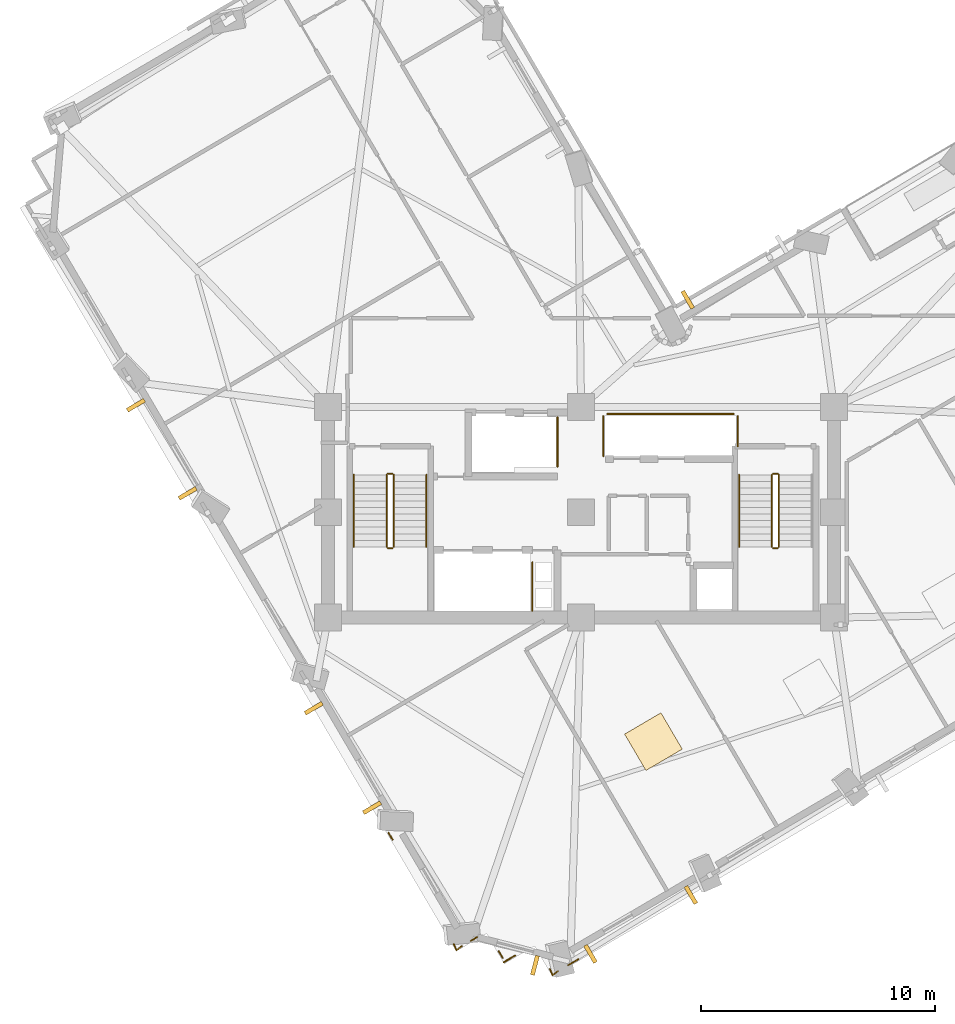
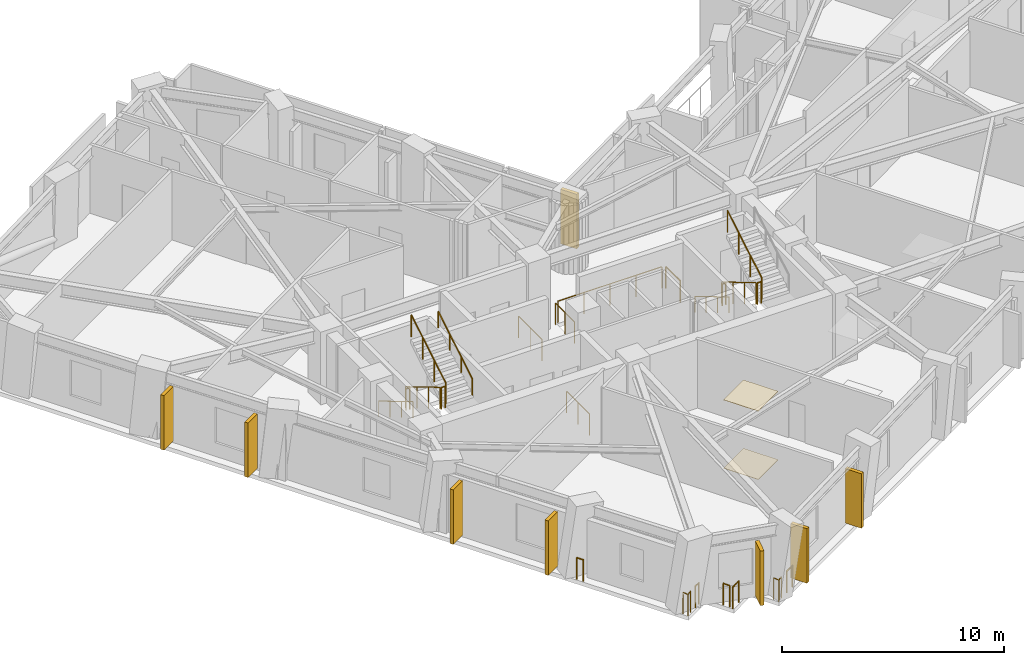
# One storey, part 9 of 12: 23 railings, 8 shading devices, 2 coverings.
"""IFC4 building model written with IfcOpenShell, lengths in metres."""

from ifc_helpers import new_model, si_unit, direction, frame, origin, origin_2d, place, context, subcontext, project, spatial, rectangle, circle, extrude, material, layer, layer_set, type_object, element, save


model = new_model("IFC4")

# Units and contexts
model_context = context("Model", 3, precision=1e-05, world=origin(), true_north=direction((0.0, 1.0)))
body_context = subcontext(model_context, "Body", "Model", "MODEL_VIEW")
ifc_project = project(units=[si_unit("LENGTHUNIT", "METRE"), si_unit("AREAUNIT", "SQUARE_METRE"), si_unit("VOLUMEUNIT", "CUBIC_METRE"), si_unit("PLANEANGLEUNIT", "RADIAN"), si_unit("MASSUNIT", "GRAM", prefix="KILO")], contexts=[model_context])

# Site, building, storey
site_placement = place(None, origin())
site = spatial("IfcSite", under=ifc_project, at=site_placement, CompositionType="ELEMENT")
building_placement = place(site_placement, origin())
building = spatial("IfcBuilding", under=site, at=building_placement, Name="Gaonmaruhae Medical Tower", CompositionType="ELEMENT")
storey_placement = place(building_placement, frame((0.0, 0.0, 153.800048828125)))
storey = spatial("IfcBuildingStorey", under=building, at=storey_placement, Name="L36", CompositionType="ELEMENT", Elevation=153.800048828125)

# Coverings
ifc_material_1 = material(Name="Acoustic mineral ceiling tile", Category="finish")
ifc_layer_1 = layer(ifc_material_1, 0.02490234375)
ifc_layer_set_1 = layer_set([ifc_layer_1], Name="Acoustic mineral ceiling tile")
covering_type_1 = type_object("IfcCoveringType", Name="CLG-01 Antimicrobial Acoustic Mineral Ceiling", PredefinedType="CEILING", material=ifc_layer_set_1)
covering_1_placement = place(storey_placement, frame((27.8916015625, 2.506103515625, 3.7548828125), z_axis=(0.0, 0.0, 1.0), x_axis=(0.862513669207, 0.506033764121, 0.0)))
element("IfcCovering", 1, at=covering_1_placement, inside=storey, type_object=covering_type_1, Name="L36 Clinical Room Acoustic Ceiling 2", PredefinedType="CEILING", context=body_context, shape_type="SweptSolid", body=[
    extrude(rectangle(XDim=1.800048828125, YDim=1.800048828125, at=origin_2d()), origin(), (0.0, 0.0, 1.0), 0.02490234375),
])
ifc_material_2 = material(Name="Seamless clinical vinyl flooring", Category="finish")
ifc_layer_2 = layer(ifc_material_2, 0.014892578125)
ifc_layer_set_2 = layer_set([ifc_layer_2], Name="Seamless clinical vinyl flooring")
covering_type_2 = type_object("IfcCoveringType", Name="FLR-01 Seamless Clinical Antistatic Vinyl Flooring", PredefinedType="FLOORING", material=ifc_layer_set_2)
covering_2_placement = place(storey_placement, frame((27.8916015625, 2.506103515625, 0.0), z_axis=(0.0, 0.0, 1.0), x_axis=(0.862513669207, 0.506033764121, 0.0)))
element("IfcCovering", 2, at=covering_2_placement, inside=storey, type_object=covering_type_2, Name="L36 Clinical Room Vinyl Flooring 2", PredefinedType="FLOORING", context=body_context, shape_type="SweptSolid", body=[
    extrude(rectangle(XDim=1.800048828125, YDim=1.800048828125, at=origin_2d()), origin(), (0.0, 0.0, 1.0), 0.014892578125),
])

# Railings
ifc_material_3 = material(Name="Stainless steel 316L and laminated safety glass", Category="steel")
ifc_layer_3 = layer(ifc_material_3, 0.080078125)
ifc_layer_set_3 = layer_set([ifc_layer_3], Name="Stainless steel 316L and laminated safety glass")
railing_type_1 = type_object("IfcRailingType", Name="GD-120 Outdoor Terrace Safety Glass & Steel Balustrade", PredefinedType="BALUSTRADE", material=ifc_layer_set_3)
railing_1_placement = place(storey_placement, frame((24.691162109375, -6.780029296875, 0.0)))
element("IfcRailing", 3, at=railing_1_placement, inside=storey, type_object=railing_type_1, Name="L36 Perimeter Slab Edge Safety Balustrade 04", PredefinedType="BALUSTRADE", context=body_context, shape_type="SweptSolid", body=[
    extrude(circle(Radius=0.02392578125, at=origin_2d()), frame((0.0, 0.0, 1.17578125), z_axis=(-0.862478327947, -0.506093997021, 0.0), x_axis=(0.506093997021, -0.862478327947, 0.0)), (0.0, 0.0, 1.0), 0.5185546875),
    extrude(circle(Radius=0.02099609375, at=origin_2d()), origin(), (0.0, 0.0, 1.0), 1.15185546875),
    extrude(circle(Radius=0.02099609375, at=origin_2d()), frame((-0.447265625, -0.262451171875, 0.0)), (0.0, 0.0, 1.0), 1.15185546875),
])
railing_2_placement = place(storey_placement, frame((21.98681640625, -6.62744140625, 0.0)))
element("IfcRailing", 4, at=railing_2_placement, inside=storey, type_object=railing_type_1, Name="L36 Perimeter Slab Edge Safety Balustrade 05", PredefinedType="BALUSTRADE", context=body_context, shape_type="SweptSolid", body=[
    extrude(circle(Radius=0.02392578125, at=origin_2d()), frame((0.0, 0.0, 1.17578125), z_axis=(-0.862527442055, -0.506010288138, 0.0), x_axis=(0.506010288138, -0.862527442055, 0.0)), (0.0, 0.0, 1.0), 0.56005859375),
    extrude(circle(Radius=0.02099609375, at=origin_2d()), origin(), (0.0, 0.0, 1.0), 1.15185546875),
    extrude(circle(Radius=0.02099609375, at=origin_2d()), frame((-0.483154296875, -0.283447265625, 0.0)), (0.0, 0.0, 1.0), 1.15185546875),
])
railing_3_placement = place(storey_placement, frame((21.4541015625, -6.7275390625, 0.0)))
element("IfcRailing", 5, at=railing_3_placement, inside=storey, type_object=railing_type_1, Name="L36 Perimeter Slab Edge Safety Balustrade 06", PredefinedType="BALUSTRADE", context=body_context, shape_type="SweptSolid", body=[
    extrude(circle(Radius=0.02392578125, at=origin_2d()), frame((0.0, 0.0, 1.17578125), z_axis=(-0.506007197407, 0.862529255256, 0.0), x_axis=(-0.862529255256, -0.506007197407, 0.0)), (0.0, 0.0, 1.0), 0.32666015625),
    extrude(circle(Radius=0.02099609375, at=origin_2d()), origin(), (0.0, 0.0, 1.0), 1.15185546875),
    extrude(circle(Radius=0.02099609375, at=origin_2d()), frame((-0.165283203125, 0.28173828125, 0.0)), (0.0, 0.0, 1.0), 1.15185546875),
])
railing_4_placement = place(storey_placement, frame((20.365234375, -5.83984375, 0.0)))
element("IfcRailing", 6, at=railing_4_placement, inside=storey, type_object=railing_type_1, Name="L36 Perimeter Slab Edge Safety Balustrade 07", PredefinedType="BALUSTRADE", context=body_context, shape_type="SweptSolid", body=[
    extrude(circle(Radius=0.02392578125, at=origin_2d()), frame((0.0, 0.0, 1.17578125), z_axis=(-0.862529255256, -0.506007197407, 0.0), x_axis=(0.506007197407, -0.862529255256, 0.0)), (0.0, 0.0, 1.0), 0.32666015625),
    extrude(circle(Radius=0.02099609375, at=origin_2d()), origin(), (0.0, 0.0, 1.0), 1.15185546875),
    extrude(circle(Radius=0.02099609375, at=origin_2d()), frame((-0.28173828125, -0.165283203125, 0.0)), (0.0, 0.0, 1.0), 1.15185546875),
])
railing_5_placement = place(storey_placement, frame((16.75390625, -1.680419921875, 0.0)))
element("IfcRailing", 7, at=railing_5_placement, inside=storey, type_object=railing_type_1, Name="L36 Perimeter Slab Edge Safety Balustrade 08", PredefinedType="BALUSTRADE", context=body_context, shape_type="SweptSolid", body=[
    extrude(circle(Radius=0.02392578125, at=origin_2d()), frame((0.0, 0.0, 1.17578125), z_axis=(-0.506328480101, 0.862340692672, 0.0), x_axis=(-0.862340692672, -0.506328480101, 0.0)), (0.0, 0.0, 1.0), 0.33935546875),
    extrude(circle(Radius=0.02099609375, at=origin_2d()), origin(), (0.0, 0.0, 1.0), 1.15185546875),
    extrude(circle(Radius=0.02099609375, at=origin_2d()), frame((-0.171875, 0.292724609375, 0.0)), (0.0, 0.0, 1.0), 1.15185546875),
])
railing_6_placement = place(storey_placement, frame((23.815185546875, -7.2939453125, 0.0)))
element("IfcRailing", 8, at=railing_6_placement, inside=storey, type_object=railing_type_1, Name="L36 Perimeter Corner Safety Balustrade 10", PredefinedType="BALUSTRADE", context=body_context, shape_type="SweptSolid", body=[
    extrude(circle(Radius=0.02392578125, at=origin_2d()), frame((0.0, 0.0, 1.17578125), z_axis=(-0.794454396881, -0.607323810892, 0.0), x_axis=(0.607323810892, -0.794454396881, 0.0)), (0.0, 0.0, 1.0), 0.287109375),
    extrude(circle(Radius=0.02392578125, at=origin_2d()), frame((-0.22802734375, -0.17431640625, 1.17578125), z_axis=(-0.397201622522, 0.917731371952, 0.0), x_axis=(-0.917731371952, -0.397201622522, 0.0)), (0.0, 0.0, 1.0), 0.287109375),
    extrude(circle(Radius=0.02099609375, at=origin_2d()), origin(), (0.0, 0.0, 1.0), 1.15185546875),
    extrude(circle(Radius=0.02099609375, at=origin_2d()), frame((-0.22802734375, -0.17431640625, 0.0)), (0.0, 0.0, 1.0), 1.15185546875),
    extrude(circle(Radius=0.02099609375, at=origin_2d()), frame((-0.342041015625, 0.089111328125, 0.0)), (0.0, 0.0, 1.0), 1.15185546875),
])
railing_7_placement = place(storey_placement, frame((19.709716796875, -6.224365234375, 0.0)))
element("IfcRailing", 9, at=railing_7_placement, inside=storey, type_object=railing_type_1, Name="L36 Perimeter Corner Safety Balustrade 11", PredefinedType="BALUSTRADE", context=body_context, shape_type="SweptSolid", body=[
    extrude(circle(Radius=0.02392578125, at=origin_2d()), frame((0.0, 0.0, 1.17578125), z_axis=(-0.794454396881, -0.607323810892, 0.0), x_axis=(0.607323810892, -0.794454396881, 0.0)), (0.0, 0.0, 1.0), 0.287109375),
    extrude(circle(Radius=0.02392578125, at=origin_2d()), frame((-0.22802734375, -0.17431640625, 1.17578125), z_axis=(-0.397917609495, 0.917421155225, 0.0), x_axis=(-0.917421155225, -0.397917609495, 0.0)), (0.0, 0.0, 1.0), 0.287109375),
    extrude(circle(Radius=0.02099609375, at=origin_2d()), origin(), (0.0, 0.0, 1.0), 1.15185546875),
    extrude(circle(Radius=0.02099609375, at=origin_2d()), frame((-0.22802734375, -0.17431640625, 0.0)), (0.0, 0.0, 1.0), 1.15185546875),
    extrude(circle(Radius=0.02099609375, at=origin_2d()), frame((-0.34228515625, 0.089111328125, 0.0)), (0.0, 0.0, 1.0), 1.15185546875),
])
ifc_material_4 = material(Name="Stainless steel 304 handrail", Category="steel")
railing_type_2 = type_object("IfcRailingType", Name="HR-092 Continuous Stainless Steel Stair Handrail", PredefinedType="HANDRAIL", material=ifc_material_4)
railing_8_placement = place(storey_placement, frame((15.10009765625, 13.89990234375, 0.16650390625)))
element("IfcRailing", 10, at=railing_8_placement, inside=storey, type_object=railing_type_2, Name="L36 ST-01 stair handrail 1", PredefinedType="HANDRAIL", context=body_context, shape_type="SweptSolid", body=[
    extrude(circle(Radius=0.02392578125, at=origin_2d()), frame((0.0, 0.0, 0.8759765625), z_axis=(0.0, -0.859260807169, 0.511537745687), x_axis=(1.0, 0.0, 0.0)), (0.0, 0.0, 1.0), 3.584228515625),
    extrude(circle(Radius=0.02099609375, at=origin_2d()), origin(), (0.0, 0.0, 1.0), 0.851806640625),
    extrude(circle(Radius=0.02099609375, at=origin_2d()), frame((0.0, -1.026611328125, 0.611083984375)), (0.0, 0.0, 1.0), 0.851806640625),
    extrude(circle(Radius=0.02099609375, at=origin_2d()), frame((0.0, -2.05322265625, 1.222412109375)), (0.0, 0.0, 1.0), 0.851806640625),
    extrude(circle(Radius=0.02099609375, at=origin_2d()), frame((0.0, -3.079833984375, 1.83349609375)), (0.0, 0.0, 1.0), 0.851806640625),
])
railing_9_placement = place(storey_placement, frame((18.199951171875, 10.820068359375, 2.16650390625)))
element("IfcRailing", 11, at=railing_9_placement, inside=storey, type_object=railing_type_2, Name="L36 ST-01 stair handrail 2", PredefinedType="HANDRAIL", context=body_context, shape_type="SweptSolid", body=[
    extrude(circle(Radius=0.02392578125, at=origin_2d()), frame((0.0, 0.0, 0.8759765625), z_axis=(0.0, 0.859260807169, 0.511537745687), x_axis=(-1.0, 0.0, 0.0)), (0.0, 0.0, 1.0), 3.584228515625),
    extrude(circle(Radius=0.02099609375, at=origin_2d()), origin(), (0.0, 0.0, 1.0), 0.851806640625),
    extrude(circle(Radius=0.02099609375, at=origin_2d()), frame((0.0, 1.026611328125, 0.611083984375)), (0.0, 0.0, 1.0), 0.851806640625),
    extrude(circle(Radius=0.02099609375, at=origin_2d()), frame((0.0, 2.05322265625, 1.222412109375)), (0.0, 0.0, 1.0), 0.851806640625),
    extrude(circle(Radius=0.02099609375, at=origin_2d()), frame((0.0, 3.079833984375, 1.83349609375)), (0.0, 0.0, 1.0), 0.851806640625),
])
railing_10_placement = place(storey_placement, frame((31.550048828125, 13.89990234375, 0.16650390625)))
element("IfcRailing", 12, at=railing_10_placement, inside=storey, type_object=railing_type_2, Name="L36 ST-02 stair handrail 1", PredefinedType="HANDRAIL", context=body_context, shape_type="SweptSolid", body=[
    extrude(circle(Radius=0.02392578125, at=origin_2d()), frame((0.0, 0.0, 0.8759765625), z_axis=(0.0, -0.859260807169, 0.511537745687), x_axis=(1.0, 0.0, 0.0)), (0.0, 0.0, 1.0), 3.584228515625),
    extrude(circle(Radius=0.02099609375, at=origin_2d()), origin(), (0.0, 0.0, 1.0), 0.851806640625),
    extrude(circle(Radius=0.02099609375, at=origin_2d()), frame((0.0, -1.026611328125, 0.611083984375)), (0.0, 0.0, 1.0), 0.851806640625),
    extrude(circle(Radius=0.02099609375, at=origin_2d()), frame((0.0, -2.05322265625, 1.222412109375)), (0.0, 0.0, 1.0), 0.851806640625),
    extrude(circle(Radius=0.02099609375, at=origin_2d()), frame((0.0, -3.079833984375, 1.83349609375)), (0.0, 0.0, 1.0), 0.851806640625),
])

# Shading devices
ifc_material_5 = material(Name="Pigmented coral precast concrete C45/55", Category="concrete")
shading_device_type = type_object("IfcShadingDeviceType", Name="SD-FIN1 Tower Vertical Coral Precast Shading Fin", PredefinedType="USERDEFINED", material=ifc_material_5)
for number, where, z_axis, x_axis, name in (
    (13, (29.489013671875, -4.04052734375, 0.08251953125), (0.0, 0.0, 1.0), (-0.862513669207, -0.506033764121, 0.0), "L36 Vertical Coral Precast Shading Fin S01"),
    (14, (25.202392578125, -6.555419921875, 0.08251953125), (0.0, 0.0, 1.0), (-0.862513669207, -0.506033764121, 0.0), "L36 Vertical Coral Precast Shading Fin S01B"),
    (15, (29.35400390625, 21.37548828125, 0.08251953125), (0.0, 0.0, 1.0), (0.862513669207, 0.506033764121, 0.0), "L36 Vertical Coral Precast Shading Fin EN03"),
    (16, (8.00244140625, 13.107421875, 0.08251953125), (0.0, 0.0, 1.0), (-0.506033764121, 0.862513669207, 0.0), "L36 Vertical Coral Precast Shading Fin W02"),
    (17, (5.795166015625, 16.8701171875, 0.08251953125), (0.0, 0.0, 1.0), (-0.506033764121, 0.862513669207, 0.0), "L36 Vertical Coral Precast Shading Fin W02B"),
    (18, (15.87744140625, -0.315185546875, 0.08251953125), (0.0, 0.0, 1.0), (-0.506033764121, 0.862513669207, 0.0), "L36 Vertical Coral Precast Shading Fin W04"),
    (19, (13.385986328125, 3.931640625, 0.08251953125), (0.0, 0.0, 1.0), (-0.506033764121, 0.862513669207, 0.0), "L36 Vertical Coral Precast Shading Fin W04B"),
    (20, (22.83203125, -7.045654296875, 0.08251953125), (0.0, 0.0, 1.0), (-0.967709170482, 0.252069358243, 0.0), "L36 Vertical Coral Precast Shading Fin W06"),
):
    element("IfcShadingDevice", number, at=place(storey_placement, frame(where, z_axis=z_axis, x_axis=x_axis)), inside=storey, type_object=shading_device_type, Name=name, ObjectType="FIN", PredefinedType="USERDEFINED", context=body_context, shape_type="SweptSolid", body=[
        extrude(rectangle(XDim=0.179931640625, YDim=0.85009765625, at=origin_2d()), origin(), (0.0, 0.0, 1.0), 3.0),
    ])

# Railings
ifc_material_6 = material(Name="Stainless steel 304 balustrade", Category="steel")
railing_type_3 = type_object("IfcRailingType", Name="SG-112 Stair Well & Ramp Void Safety Balustrade", PredefinedType="BALUSTRADE", material=ifc_material_6)
railing_11_placement = place(storey_placement, frame((16.5, 13.89990234375, 0.16650390625)))
element("IfcRailing", 21, at=railing_11_placement, inside=storey, type_object=railing_type_3, Name="L36 ST-01 stair guard 1", PredefinedType="BALUSTRADE", context=body_context, shape_type="SweptSolid", body=[
    extrude(circle(Radius=0.02392578125, at=origin_2d()), frame((0.0, 0.0, 1.17578125), z_axis=(0.0, -0.859260807169, 0.511537745687), x_axis=(1.0, 0.0, 0.0)), (0.0, 0.0, 1.0), 3.584228515625),
    extrude(circle(Radius=0.02099609375, at=origin_2d()), origin(), (0.0, 0.0, 1.0), 1.15185546875),
    extrude(circle(Radius=0.02099609375, at=origin_2d()), frame((0.0, -1.026611328125, 0.611083984375)), (0.0, 0.0, 1.0), 1.15185546875),
    extrude(circle(Radius=0.02099609375, at=origin_2d()), frame((0.0, -2.05322265625, 1.222412109375)), (0.0, 0.0, 1.0), 1.15185546875),
    extrude(circle(Radius=0.02099609375, at=origin_2d()), frame((0.0, -3.079833984375, 1.83349609375)), (0.0, 0.0, 1.0), 1.15185546875),
])
railing_12_placement = place(storey_placement, frame((16.550048828125, 10.77001953125, 2.0)))
element("IfcRailing", 22, at=railing_12_placement, inside=storey, type_object=railing_type_3, Name="L36 ST-01 stair guard 2", PredefinedType="BALUSTRADE", context=body_context, shape_type="SweptSolid", body=[
    extrude(circle(Radius=0.02392578125, at=origin_2d()), frame((0.0, 0.0, 1.17578125), z_axis=(1.0, 0.0, 0.0), x_axis=(0.0, 1.0, 0.0)), (0.0, 0.0, 1.0), 0.199951171875),
    extrude(circle(Radius=0.02099609375, at=origin_2d()), origin(), (0.0, 0.0, 1.0), 1.15185546875),
    extrude(circle(Radius=0.02099609375, at=origin_2d()), frame((0.199951171875, 0.0, 0.0)), (0.0, 0.0, 1.0), 1.15185546875),
])
railing_13_placement = place(storey_placement, frame((16.800048828125, 10.820068359375, 2.16650390625)))
element("IfcRailing", 23, at=railing_13_placement, inside=storey, type_object=railing_type_3, Name="L36 ST-01 stair guard 3", PredefinedType="BALUSTRADE", context=body_context, shape_type="SweptSolid", body=[
    extrude(circle(Radius=0.02392578125, at=origin_2d()), frame((0.0, 0.0, 1.17578125), z_axis=(0.0, 0.859260807169, 0.511537745687), x_axis=(-1.0, 0.0, 0.0)), (0.0, 0.0, 1.0), 3.584228515625),
    extrude(circle(Radius=0.02099609375, at=origin_2d()), origin(), (0.0, 0.0, 1.0), 1.15185546875),
    extrude(circle(Radius=0.02099609375, at=origin_2d()), frame((0.0, 1.026611328125, 0.611083984375)), (0.0, 0.0, 1.0), 1.15185546875),
    extrude(circle(Radius=0.02099609375, at=origin_2d()), frame((0.0, 2.05322265625, 1.222412109375)), (0.0, 0.0, 1.0), 1.15185546875),
    extrude(circle(Radius=0.02099609375, at=origin_2d()), frame((0.0, 3.079833984375, 1.83349609375)), (0.0, 0.0, 1.0), 1.15185546875),
])
railing_14_placement = place(storey_placement, frame((16.550048828125, 13.949951171875, 0.0)))
element("IfcRailing", 24, at=railing_14_placement, inside=storey, type_object=railing_type_3, Name="L36 ST-01 stair guard 4", PredefinedType="BALUSTRADE", context=body_context, shape_type="SweptSolid", body=[
    extrude(circle(Radius=0.02392578125, at=origin_2d()), frame((0.0, 0.0, 1.17578125), z_axis=(1.0, 0.0, 0.0), x_axis=(0.0, 1.0, 0.0)), (0.0, 0.0, 1.0), 0.199951171875),
    extrude(circle(Radius=0.02099609375, at=origin_2d()), origin(), (0.0, 0.0, 1.0), 1.15185546875),
    extrude(circle(Radius=0.02099609375, at=origin_2d()), frame((0.199951171875, 0.0, 0.0)), (0.0, 0.0, 1.0), 1.15185546875),
])
railing_15_placement = place(storey_placement, frame((32.949951171875, 13.89990234375, 0.16650390625)))
element("IfcRailing", 25, at=railing_15_placement, inside=storey, type_object=railing_type_3, Name="L36 ST-02 stair guard 1", PredefinedType="BALUSTRADE", context=body_context, shape_type="SweptSolid", body=[
    extrude(circle(Radius=0.02392578125, at=origin_2d()), frame((0.0, 0.0, 1.17578125), z_axis=(0.0, -0.859260807169, 0.511537745687), x_axis=(1.0, 0.0, 0.0)), (0.0, 0.0, 1.0), 3.584228515625),
    extrude(circle(Radius=0.02099609375, at=origin_2d()), origin(), (0.0, 0.0, 1.0), 1.15185546875),
    extrude(circle(Radius=0.02099609375, at=origin_2d()), frame((0.0, -1.026611328125, 0.611083984375)), (0.0, 0.0, 1.0), 1.15185546875),
    extrude(circle(Radius=0.02099609375, at=origin_2d()), frame((0.0, -2.05322265625, 1.222412109375)), (0.0, 0.0, 1.0), 1.15185546875),
    extrude(circle(Radius=0.02099609375, at=origin_2d()), frame((0.0, -3.079833984375, 1.83349609375)), (0.0, 0.0, 1.0), 1.15185546875),
])
railing_16_placement = place(storey_placement, frame((33.0, 10.77001953125, 2.0)))
element("IfcRailing", 26, at=railing_16_placement, inside=storey, type_object=railing_type_3, Name="L36 ST-02 stair guard 2", PredefinedType="BALUSTRADE", context=body_context, shape_type="SweptSolid", body=[
    extrude(circle(Radius=0.02392578125, at=origin_2d()), frame((0.0, 0.0, 1.17578125), z_axis=(1.0, 0.0, 0.0), x_axis=(0.0, 1.0, 0.0)), (0.0, 0.0, 1.0), 0.199951171875),
    extrude(circle(Radius=0.02099609375, at=origin_2d()), origin(), (0.0, 0.0, 1.0), 1.15185546875),
    extrude(circle(Radius=0.02099609375, at=origin_2d()), frame((0.199951171875, 0.0, 0.0)), (0.0, 0.0, 1.0), 1.15185546875),
])
railing_17_placement = place(storey_placement, frame((33.25, 10.820068359375, 2.16650390625)))
element("IfcRailing", 27, at=railing_17_placement, inside=storey, type_object=railing_type_3, Name="L36 ST-02 stair guard 3", PredefinedType="BALUSTRADE", context=body_context, shape_type="SweptSolid", body=[
    extrude(circle(Radius=0.02392578125, at=origin_2d()), frame((0.0, 0.0, 1.17578125), z_axis=(0.0, 0.859260807169, 0.511537745687), x_axis=(-1.0, 0.0, 0.0)), (0.0, 0.0, 1.0), 3.584228515625),
    extrude(circle(Radius=0.02099609375, at=origin_2d()), origin(), (0.0, 0.0, 1.0), 1.15185546875),
    extrude(circle(Radius=0.02099609375, at=origin_2d()), frame((0.0, 1.026611328125, 0.611083984375)), (0.0, 0.0, 1.0), 1.15185546875),
    extrude(circle(Radius=0.02099609375, at=origin_2d()), frame((0.0, 2.05322265625, 1.222412109375)), (0.0, 0.0, 1.0), 1.15185546875),
    extrude(circle(Radius=0.02099609375, at=origin_2d()), frame((0.0, 3.079833984375, 1.83349609375)), (0.0, 0.0, 1.0), 1.15185546875),
])
railing_18_placement = place(storey_placement, frame((33.0, 13.949951171875, 0.0)))
element("IfcRailing", 28, at=railing_18_placement, inside=storey, type_object=railing_type_3, Name="L36 ST-02 stair guard 4", PredefinedType="BALUSTRADE", context=body_context, shape_type="SweptSolid", body=[
    extrude(circle(Radius=0.02392578125, at=origin_2d()), frame((0.0, 0.0, 1.17578125), z_axis=(1.0, 0.0, 0.0), x_axis=(0.0, 1.0, 0.0)), (0.0, 0.0, 1.0), 0.199951171875),
    extrude(circle(Radius=0.02099609375, at=origin_2d()), origin(), (0.0, 0.0, 1.0), 1.15185546875),
    extrude(circle(Radius=0.02099609375, at=origin_2d()), frame((0.199951171875, 0.0, 0.0)), (0.0, 0.0, 1.0), 1.15185546875),
])
railing_19_placement = place(storey_placement, frame((22.719970703125, 10.159912109375, 0.0)))
element("IfcRailing", 29, at=railing_19_placement, inside=storey, type_object=railing_type_3, Name="L36 Shaft Edge Safety Guard 12", PredefinedType="BALUSTRADE", context=body_context, shape_type="SweptSolid", body=[
    extrude(circle(Radius=0.02392578125, at=origin_2d()), frame((0.0, 0.0, 1.17578125), z_axis=(0.0, -1.0, 0.0), x_axis=(1.0, 0.0, 0.0)), (0.0, 0.0, 1.0), 2.06494140625),
    extrude(circle(Radius=0.02099609375, at=origin_2d()), origin(), (0.0, 0.0, 1.0), 1.15185546875),
    extrude(circle(Radius=0.02099609375, at=origin_2d()), frame((0.0, -1.032470703125, 0.0)), (0.0, 0.0, 1.0), 1.15185546875),
    extrude(circle(Radius=0.02099609375, at=origin_2d()), frame((0.0, -2.06494140625, 0.0)), (0.0, 0.0, 1.0), 1.15185546875),
])
railing_20_placement = place(storey_placement, frame((23.794921875, 16.35498046875, 0.0)))
element("IfcRailing", 30, at=railing_20_placement, inside=storey, type_object=railing_type_3, Name="L36 Shaft Edge Safety Guard 13", PredefinedType="BALUSTRADE", context=body_context, shape_type="SweptSolid", body=[
    extrude(circle(Radius=0.02392578125, at=origin_2d()), frame((0.0, 0.0, 1.17578125), z_axis=(0.0, -1.0, 0.0), x_axis=(1.0, 0.0, 0.0)), (0.0, 0.0, 1.0), 2.10986328125),
    extrude(circle(Radius=0.02099609375, at=origin_2d()), origin(), (0.0, 0.0, 1.0), 1.15185546875),
    extrude(circle(Radius=0.02099609375, at=origin_2d()), frame((0.0, -1.054931640625, 0.0)), (0.0, 0.0, 1.0), 1.15185546875),
    extrude(circle(Radius=0.02099609375, at=origin_2d()), frame((0.0, -2.10986328125, 0.0)), (0.0, 0.0, 1.0), 1.15185546875),
])
railing_21_placement = place(storey_placement, frame((31.4951171875, 16.405029296875, 0.0)))
element("IfcRailing", 31, at=railing_21_placement, inside=storey, type_object=railing_type_3, Name="L36 Shaft Edge Safety Guard 14", PredefinedType="BALUSTRADE", context=body_context, shape_type="SweptSolid", body=[
    extrude(circle(Radius=0.02392578125, at=origin_2d()), frame((0.0, 0.0, 1.17578125), z_axis=(0.0, -1.0, 0.0), x_axis=(1.0, 0.0, 0.0)), (0.0, 0.0, 1.0), 1.284912109375),
    extrude(circle(Radius=0.02099609375, at=origin_2d()), origin(), (0.0, 0.0, 1.0), 1.15185546875),
    extrude(circle(Radius=0.02099609375, at=origin_2d()), frame((0.0, -1.284912109375, 0.0)), (0.0, 0.0, 1.0), 1.15185546875),
])
railing_22_placement = place(storey_placement, frame((25.7548828125, 14.695068359375, 0.0)))
element("IfcRailing", 32, at=railing_22_placement, inside=storey, type_object=railing_type_3, Name="L36 Shaft Edge Safety Guard 15", PredefinedType="BALUSTRADE", context=body_context, shape_type="SweptSolid", body=[
    extrude(circle(Radius=0.02392578125, at=origin_2d()), frame((0.0, 0.0, 1.17578125), z_axis=(0.0, 1.0, 0.0), x_axis=(-1.0, 0.0, 0.0)), (0.0, 0.0, 1.0), 1.7099609375),
    extrude(circle(Radius=0.02099609375, at=origin_2d()), origin(), (0.0, 0.0, 1.0), 1.15185546875),
    extrude(circle(Radius=0.02099609375, at=origin_2d()), frame((0.0, 0.85498046875, 0.0)), (0.0, 0.0, 1.0), 1.15185546875),
    extrude(circle(Radius=0.02099609375, at=origin_2d()), frame((0.0, 1.7099609375, 0.0)), (0.0, 0.0, 1.0), 1.15185546875),
])
railing_23_placement = place(storey_placement, frame((25.919921875, 16.4951171875, 0.0)))
element("IfcRailing", 33, at=railing_23_placement, inside=storey, type_object=railing_type_3, Name="L36 Shaft Edge Safety Guard 16", PredefinedType="BALUSTRADE", context=body_context, shape_type="SweptSolid", body=[
    extrude(circle(Radius=0.02392578125, at=origin_2d()), frame((0.0, 0.0, 1.17578125), z_axis=(1.0, 0.0, 0.0), x_axis=(0.0, 1.0, 0.0)), (0.0, 0.0, 1.0), 5.41015625),
    extrude(circle(Radius=0.02099609375, at=origin_2d()), origin(), (0.0, 0.0, 1.0), 1.15185546875),
    extrude(circle(Radius=0.02099609375, at=origin_2d()), frame((1.3525390625, 0.0, 0.0)), (0.0, 0.0, 1.0), 1.15185546875),
    extrude(circle(Radius=0.02099609375, at=origin_2d()), frame((2.705078125, 0.0, 0.0)), (0.0, 0.0, 1.0), 1.15185546875),
    extrude(circle(Radius=0.02099609375, at=origin_2d()), frame((4.0576171875, 0.0, 0.0)), (0.0, 0.0, 1.0), 1.15185546875),
    extrude(circle(Radius=0.02099609375, at=origin_2d()), frame((5.41015625, 0.0, 0.0)), (0.0, 0.0, 1.0), 1.15185546875),
])

save(model, "model.ifc")
